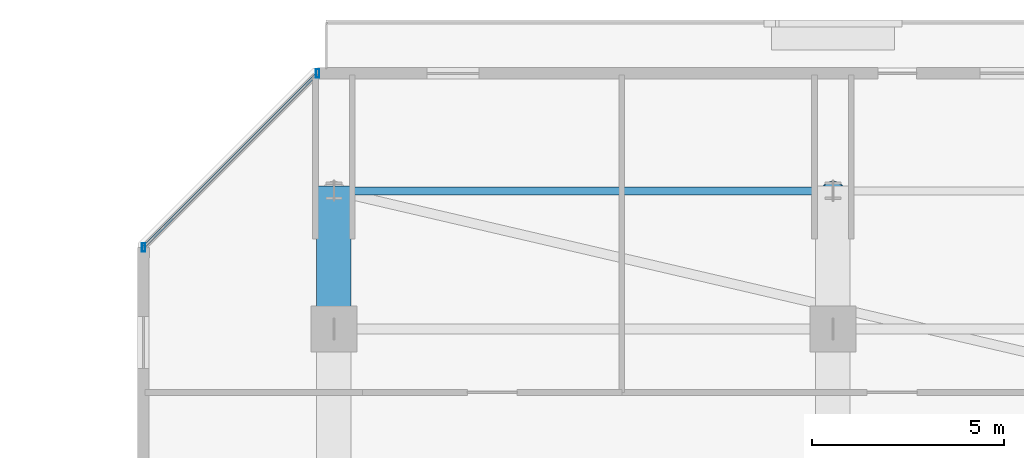
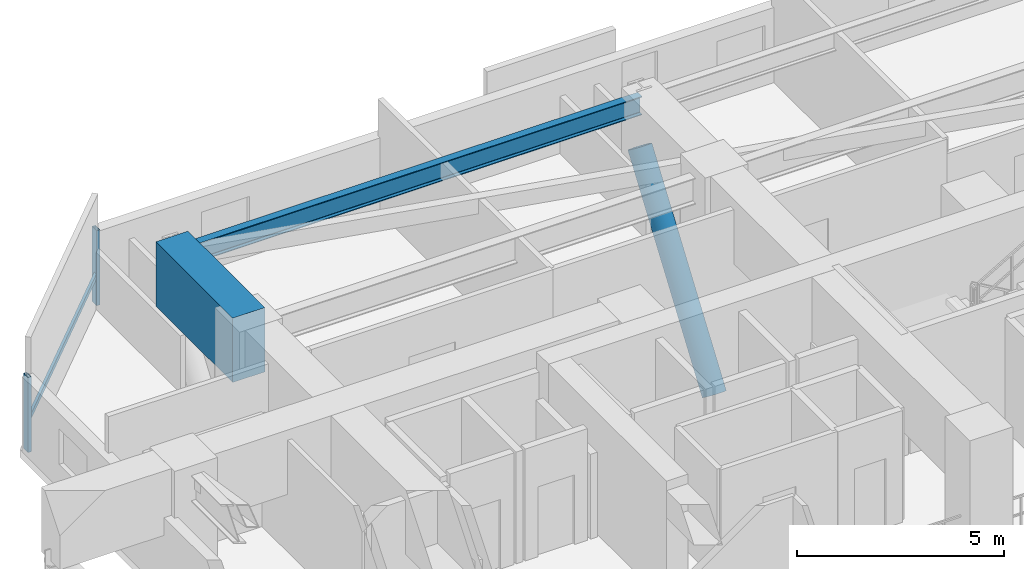
# One storey, part 8 of 36: 4 members, 2 beams, 1 element without a shape of its own.
"""IFC4 building model written with IfcOpenShell, lengths in metres."""

from ifc_helpers import new_model, si_unit, direction, frame, origin, origin_2d, place, context, subcontext, project, spatial, rectangle, hollow_rectangle, hollow_circle, i_section, extrude, material, material_profile, profile_set, type_object, element, aggregate, save


model = new_model("IFC4")

# Units and contexts
model_context = context("Model", 3, precision=1e-05, world=origin(), true_north=direction((0.0, 1.0)))
body_context = subcontext(model_context, "Body", "Model", "MODEL_VIEW")
ifc_project = project(units=[si_unit("LENGTHUNIT", "METRE"), si_unit("AREAUNIT", "SQUARE_METRE"), si_unit("VOLUMEUNIT", "CUBIC_METRE"), si_unit("PLANEANGLEUNIT", "RADIAN"), si_unit("MASSUNIT", "GRAM", prefix="KILO")], contexts=[model_context])

# Site, building, storey
site_placement = place(None, origin())
site = spatial("IfcSite", under=ifc_project, at=site_placement, CompositionType="ELEMENT")
building_placement = place(site_placement, origin())
building = spatial("IfcBuilding", under=site, at=building_placement, Name="Thornwick Lancets Civic Towers", CompositionType="ELEMENT")
storey_placement = place(building_placement, frame((0.0, 0.0, 94.5)))
storey = spatial("IfcBuildingStorey", under=building, at=storey_placement, Name="L24", CompositionType="ELEMENT", Elevation=94.5)

# Beams
ifc_material_1 = material(Name="Steel S355JR", Category="steel")
ifc_material_profile_1 = material_profile(ifc_material_1, i_section(OverallWidth=0.2119140625, OverallDepth=0.54443359375, WebThickness=0.0126953125, FlangeThickness=0.021240234375, FilletRadius=0.0126953125, at=origin_2d()), Name="UKB 533x210x122")
ifc_profile_set_1 = profile_set([ifc_material_profile_1], Name="Steel S355JR")
beam_type_1 = type_object("IfcBeamType", Name="BM_EDGE_533_122", PredefinedType="SPANDREL", material=ifc_profile_set_1)
beam_1_placement = place(storey_placement, frame((12.5, 47.89990234375, 3.047607421875), z_axis=(1.0, 0.0, 0.0), x_axis=(0.0, 1.0, 0.0)))
element("IfcBeam", 1, at=beam_1_placement, inside=storey, type_object=beam_type_1, Name="BM-EDGE-L24-A-S2-1", PredefinedType="SPANDREL", context=body_context, shape_type="SweptSolid", body=[
    extrude(i_section(OverallWidth=0.2119140625, OverallDepth=0.54443359375, WebThickness=0.0126953125, FlangeThickness=0.021240234375, FilletRadius=0.0126953125, at=origin_2d()), origin(), (0.0, 0.0, 1.0), 13.0),
])
ifc_material_2 = material(Name="Concrete C60/75", Category="concrete")
ifc_material_profile_2 = material_profile(ifc_material_2, rectangle(XDim=0.89990234375, YDim=1.89990234375, at=origin_2d()), Name="RC 900x1900")
ifc_profile_set_2 = profile_set([ifc_material_profile_2], Name="Concrete C60/75")
beam_type_2 = type_object("IfcBeamType", Name="BM_TR_RC1900", PredefinedType="BEAM", material=ifc_profile_set_2)
beam_2_placement = place(storey_placement, frame((12.5, 44.300048828125, 2.64990234375), z_axis=(0.0, 1.0, 0.0), x_axis=(-1.0, 0.0, 0.0)))
element("IfcBeam", 2, at=beam_2_placement, inside=storey, type_object=beam_type_2, Name="TG-CANT-L25-A07", PredefinedType="BEAM", context=body_context, shape_type="SweptSolid", body=[
    extrude(rectangle(XDim=0.89990234375, YDim=1.89990234375, at=origin_2d()), origin(), (0.0, 0.0, 1.0), 3.719970703125),
])

# Curtain wall, members
ifc_material_3 = material(Name="Low-zone chamfered-corner unitised glass curtain wall", Category="glass")
curtain_wall_type = type_object("IfcCurtainWallType", Name="CW_SYS_03", PredefinedType="NOTDEFINED", material=ifc_material_3)
curtain_wall_placement = place(storey_placement, origin())
curtain_wall = element("IfcCurtainWall", 3, at=curtain_wall_placement, inside=storey, type_object=curtain_wall_type, Name="L24 Curtain Wall CW-L24-A-E5", PredefinedType="NOTDEFINED")
ifc_material_4 = material(Name="Thermally broken bronze aluminium S355", Category="steel")
ifc_material_profile_3 = material_profile(ifc_material_4, hollow_rectangle(XDim=0.090087890625, YDim=0.219970703125, WallThickness=0.00634765625, at=origin_2d()), Name="RHS 220x90x6.3")
ifc_profile_set_3 = profile_set([ifc_material_profile_3], Name="Thermally broken bronze aluminium S355")
member_type_1 = type_object("IfcMemberType", Name="CW_MUL_220", PredefinedType="MULLION", material=ifc_profile_set_3)
member_1_placement = place(storey_placement, frame((12.074951171875, 50.958251953125, 0.0), z_axis=(0.0, 0.0, 1.0), x_axis=(1.0, 0.0, 0.0)))
member_1 = element("IfcMember", 4, at=member_1_placement, type_object=member_type_1, Name="CW-L24-A-E5 Mullion 0", PredefinedType="MULLION", context=body_context, shape_type="SweptSolid", body=[
    extrude(hollow_rectangle(XDim=0.090087890625, YDim=0.219970703125, WallThickness=0.00634765625, at=origin_2d()), origin(), (0.0, 0.0, 1.0), 2.219970703125),
])
member_2_placement = place(storey_placement, frame((7.541748046875, 46.425048828125, 0.0), z_axis=(0.0, 0.0, 1.0), x_axis=(1.0, 0.0, 0.0)))
member_2 = element("IfcMember", 5, at=member_2_placement, type_object=member_type_1, Name="CW-L24-A-E5 Mullion 1", PredefinedType="MULLION", context=body_context, shape_type="SweptSolid", body=[
    extrude(hollow_rectangle(XDim=0.090087890625, YDim=0.219970703125, WallThickness=0.00634765625, at=origin_2d()), origin(), (0.0, 0.0, 1.0), 2.219970703125),
])
ifc_material_profile_4 = material_profile(ifc_material_4, hollow_rectangle(XDim=0.074951171875, YDim=0.14990234375, WallThickness=0.0048828125, at=origin_2d()), Name="RHS 150x75x5")
ifc_profile_set_4 = profile_set([ifc_material_profile_4], Name="Thermally broken bronze aluminium S355")
member_type_2 = type_object("IfcMemberType", Name="CW_TRN_150", PredefinedType="USERDEFINED", material=ifc_profile_set_4)
member_3_placement = place(storey_placement, frame((12.060791015625, 50.944091796875, 0.85009765625), z_axis=(-0.707106781187, -0.707106781187, 0.0), x_axis=(0.707106781187, -0.707106781187, 0.0)))
member_3 = element("IfcMember", 6, at=member_3_placement, type_object=member_type_2, Name="CW-L24-A-E5 Transom 0", ObjectType="TRANSOM", PredefinedType="USERDEFINED", context=body_context, shape_type="SweptSolid", body=[
    extrude(hollow_rectangle(XDim=0.074951171875, YDim=0.14990234375, WallThickness=0.0048828125, at=origin_2d()), origin(), (0.0, 0.0, 1.0), 6.370849609375),
])
aggregate(curtain_wall, [member_1, member_2, member_3])

# Member
ifc_material_5 = material(Name="Steel S460M", Category="steel")
ifc_material_profile_5 = material_profile(ifc_material_5, hollow_circle(Radius=0.304931640625, WallThickness=0.030029296875, at=origin_2d()), Name="CHS 610x30")
ifc_profile_set_5 = profile_set([ifc_material_profile_5], Name="Steel S460M")
member_type_3 = type_object("IfcMemberType", Name="MEM_STRUT_CHS610", PredefinedType="STRUT", material=ifc_profile_set_5)
member_4_placement = place(storey_placement, frame((25.5, 44.300048828125, -3.35009765625), z_axis=(0.0, 0.574400563042, 0.818574366308), x_axis=(-1.0, 0.0, 0.0)))
element("IfcMember", 7, at=member_4_placement, inside=storey, type_object=member_type_3, Name="L25 Jenga Transfer Raking Strut A08", PredefinedType="STRUT", context=body_context, shape_type="SweptSolid", body=[
    extrude(hollow_circle(Radius=0.304931640625, WallThickness=0.030029296875, at=origin_2d()), origin(), (0.0, 0.0, 1.0), 6.26708984375),
])

save(model, "model.ifc")
